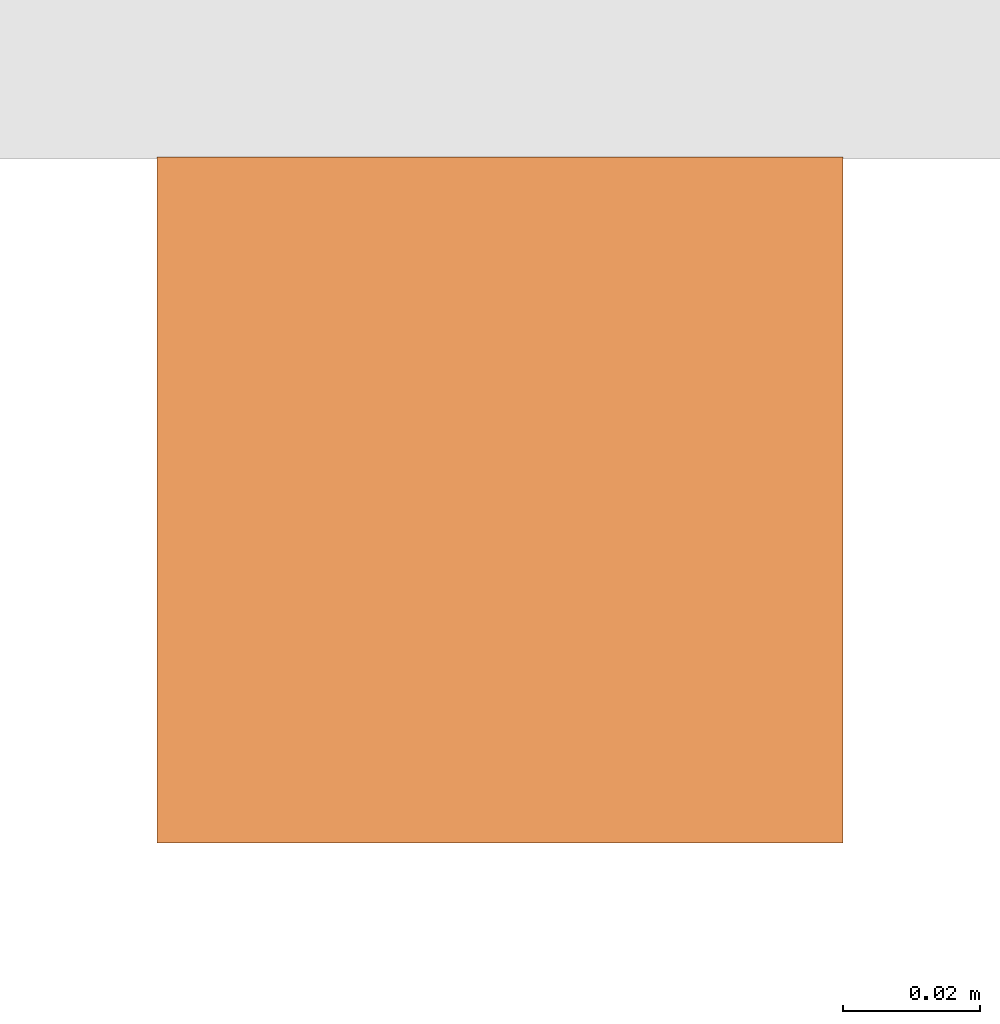
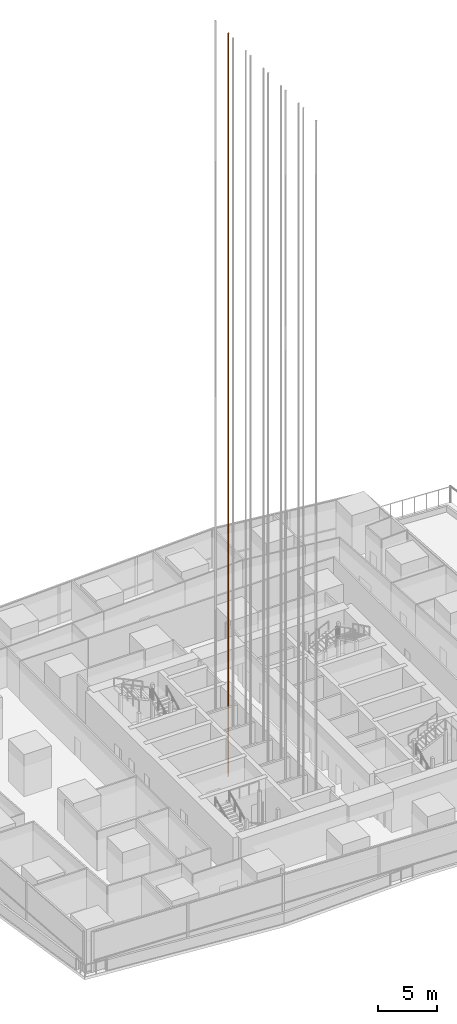
# One storey, part 38 of 39: 1 proxy.
"""IFC4 building model written with IfcOpenShell, lengths in metres."""

from ifc_helpers import new_model, si_unit, direction, frame, origin, origin_2d, place, context, subcontext, project, spatial, rectangle, extrude, material, type_object, element, save


model = new_model("IFC4")

# Units and contexts
model_context = context("Model", 3, precision=1e-05, world=origin(), true_north=direction((0.0, 1.0)))
body_context = subcontext(model_context, "Body", "Model", "MODEL_VIEW")
ifc_project = project(units=[si_unit("LENGTHUNIT", "METRE"), si_unit("AREAUNIT", "SQUARE_METRE"), si_unit("VOLUMEUNIT", "CUBIC_METRE"), si_unit("PLANEANGLEUNIT", "RADIAN"), si_unit("MASSUNIT", "GRAM", prefix="KILO")], contexts=[model_context])

# Site, building, storey
site_placement = place(None, origin())
site = spatial("IfcSite", under=ifc_project, at=site_placement, CompositionType="ELEMENT")
building_placement = place(site_placement, origin())
building = spatial("IfcBuilding", under=site, at=building_placement, Name="Rekha Terrace Tower", CompositionType="ELEMENT")
storey_placement = place(building_placement, frame((0.0, 0.0, 168.199951171875)))
storey = spatial("IfcBuildingStorey", under=building, at=storey_placement, Name="L42", CompositionType="ELEMENT", Elevation=168.199951171875)

# Proxy
ifc_material = material(Name="Steel guide rail", Category="steel")
building_element_proxy_type = type_object("IfcBuildingElementProxyType", Name="LR1 100 lift guide rail", PredefinedType="ELEMENT", material=ifc_material)
proxy_placement = place(storey_placement, frame((34.5, 38.800048828125, -3.2998046875), z_axis=(0.0, 0.0, 1.0), x_axis=(1.0, 0.0, 0.0)))
element("IfcBuildingElementProxy", 1, at=proxy_placement, inside=storey, type_object=building_element_proxy_type, Name="Lift C6 guide rail 1", PredefinedType="ELEMENT", context=body_context, shape_type="SweptSolid", body=[
    extrude(rectangle(XDim=0.10009765625, YDim=0.10009765625, at=origin_2d()), origin(), (0.0, 0.0, 1.0), 77.39990234375),
])

save(model, "model.ifc")
